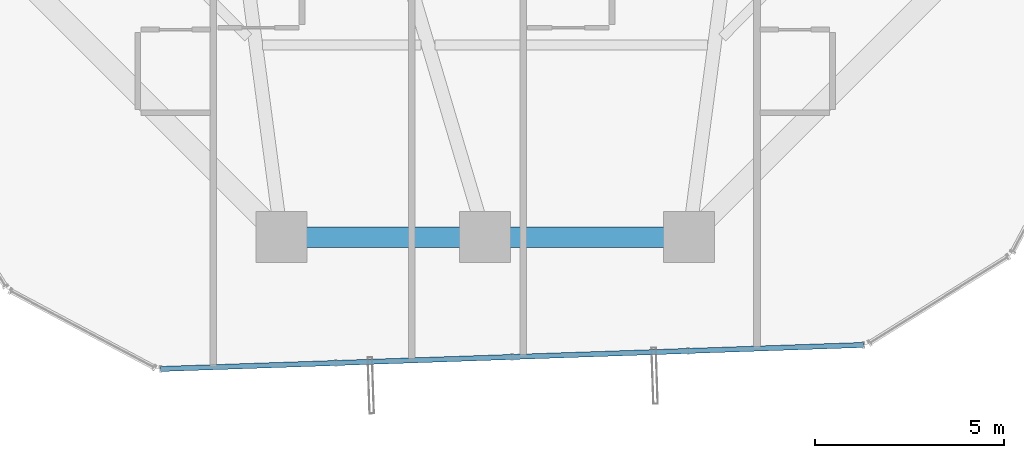
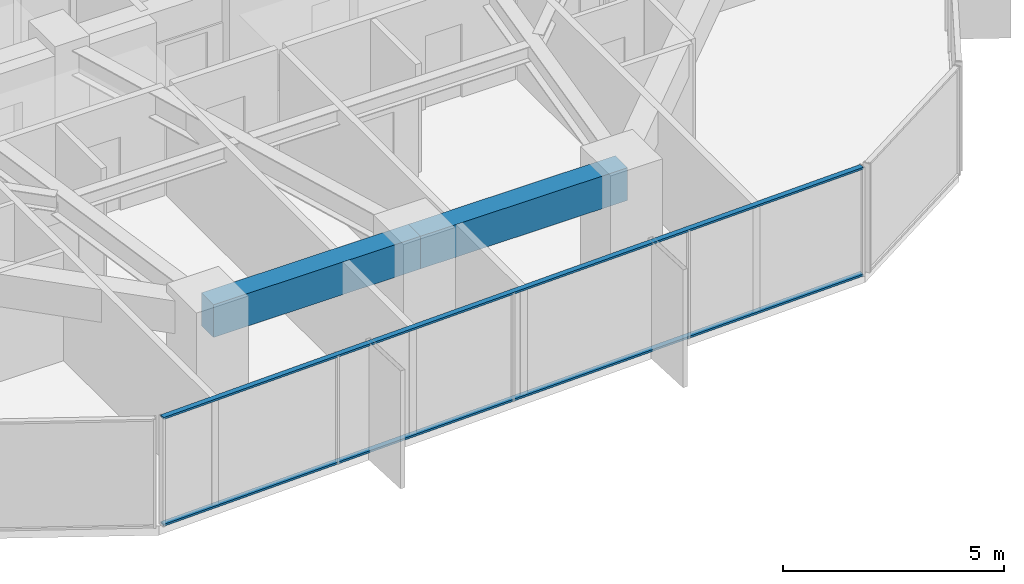
# One storey, part 7 of 39: 2 beams, 2 members, 1 element without a shape of its own.
"""IFC4 building model written with IfcOpenShell, lengths in metres."""

from ifc_helpers import new_model, si_unit, direction, frame, origin, origin_2d, place, context, subcontext, project, spatial, rectangle, hollow_rectangle, extrude, source, transform, mapped, material, layer, layer_set, material_profile, profile_set, type_object, element, aggregate, save


model = new_model("IFC4")

# Units and contexts
model_context = context("Model", 3, precision=1e-05, world=origin(), true_north=direction((0.0, 1.0)))
body_context = subcontext(model_context, "Body", "Model", "MODEL_VIEW")
ifc_project = project(units=[si_unit("LENGTHUNIT", "METRE"), si_unit("AREAUNIT", "SQUARE_METRE"), si_unit("VOLUMEUNIT", "CUBIC_METRE"), si_unit("PLANEANGLEUNIT", "RADIAN"), si_unit("MASSUNIT", "GRAM", prefix="KILO")], contexts=[model_context])

# Site, building, storey
site_placement = place(None, origin())
site = spatial("IfcSite", under=ifc_project, at=site_placement, CompositionType="ELEMENT")
building_placement = place(site_placement, origin())
building = spatial("IfcBuilding", under=site, at=building_placement, Name="Veraguas Prism Commons", CompositionType="ELEMENT")
storey_placement = place(building_placement, frame((0.0, 0.0, 30.550048828125)))
storey = spatial("IfcBuildingStorey", under=building, at=storey_placement, Name="L07", CompositionType="ELEMENT", Elevation=30.550048828125)

# Beams
ifc_material_1 = material(Name="Concrete C50/60", Category="concrete")
ifc_material_profile_1 = material_profile(ifc_material_1, rectangle(XDim=0.550048828125, YDim=0.89990234375, at=origin_2d()), Name="RC550X900")
ifc_profile_set_1 = profile_set([ifc_material_profile_1], Name="Concrete C50/60")
beam_type = type_object("IfcBeamType", Name="Perimeter Spandrel Lower RC 550x900", PredefinedType="SPANDREL", material=ifc_profile_set_1)
for number, where, z_axis, x_axis, name in (
    (1, (18.60009765625, 6.39990234375, 2.550048828125), (1.0, 0.0, 0.0), (0.0, 1.0, 0.0), "Perimeter Spandrel Beam L07-SP10"),
    (2, (24.0, 6.39990234375, 2.550048828125), (1.0, 0.0, 0.0), (0.0, 1.0, 0.0), "Perimeter Spandrel Beam L07-SP11"),
):
    element("IfcBeam", number, at=place(storey_placement, frame(where, z_axis=z_axis, x_axis=x_axis)), inside=storey, type_object=beam_type, Name=name, PredefinedType="SPANDREL", context=body_context, shape_type="SweptSolid", body=[
        extrude(rectangle(XDim=0.550048828125, YDim=0.89990234375, at=origin_2d()), origin(), (0.0, 0.0, 1.0), 5.39990234375),
    ])

# Curtain wall, members
ifc_material_2 = material(Name="Anodised aluminium EN AW-6063 T6", Category="aluminium")
ifc_layer = layer(ifc_material_2, 0.169921875, Name="Unitised Flush Curtain Wall Zone 1", Category="aluminium")
ifc_layer_set = layer_set([ifc_layer], Name="Anodised aluminium EN AW-6063 T6")
curtain_wall_type = type_object("IfcCurtainWallType", Name="Unitised Flush Curtain Wall Zone 1", PredefinedType="NOTDEFINED", material=ifc_layer_set)
curtain_wall_placement = place(storey_placement, origin())
curtain_wall = element("IfcCurtainWall", 3, at=curtain_wall_placement, inside=storey, type_object=curtain_wall_type, Name="Tower Facade Curtain Wall L07-F5", PredefinedType="NOTDEFINED")
ifc_material_profile_2 = material_profile(ifc_material_2, hollow_rectangle(XDim=0.054931640625, YDim=0.135009765625, WallThickness=0.0029296875, at=origin_2d()), Name="AL55X135X3")
ifc_profile_set_2 = profile_set([ifc_material_profile_2], Name="Anodised aluminium EN AW-6063 T6")
member_type = type_object("IfcMemberType", Name="Curtain Wall Transom Standard AL 55x135x3", PredefinedType="USERDEFINED", material=ifc_profile_set_2)
shared_shape = source(origin(), body_context, "Body", "SweptSolid", [
    extrude(hollow_rectangle(XDim=0.054931640625, YDim=0.135009765625, WallThickness=0.0029296875, at=origin_2d()), origin(), (0.0, 0.0, 1.0), 18.6240234375),
])
member_1_placement = place(storey_placement, frame((15.404296875, 2.9091796875, 0.02734375), z_axis=(0.999415412074, 0.034188215935, 0.0), x_axis=(0.0, 0.0, 1.0)))
member_1 = element("IfcMember", 4, at=member_1_placement, type_object=member_type, Name="CW-Z1 Transom 1", ObjectType="TRANSOM", PredefinedType="USERDEFINED", context=body_context, shape_type="MappedRepresentation", body=[
    mapped(shared_shape, transform((0.0, 0.0, 0.0), scale=1.0)),
])
member_2_placement = place(storey_placement, frame((15.404296875, 2.9091796875, 2.972412109375), z_axis=(0.999415412074, 0.034188215935, 0.0), x_axis=(0.0, 0.0, 1.0)))
member_2 = element("IfcMember", 5, at=member_2_placement, type_object=member_type, Name="CW-Z1 Transom 2", ObjectType="TRANSOM", PredefinedType="USERDEFINED", context=body_context, shape_type="MappedRepresentation", body=[
    mapped(shared_shape, transform((0.0, 0.0, 0.0), scale=1.0)),
])
aggregate(curtain_wall, [member_1, member_2])

save(model, "model.ifc")
